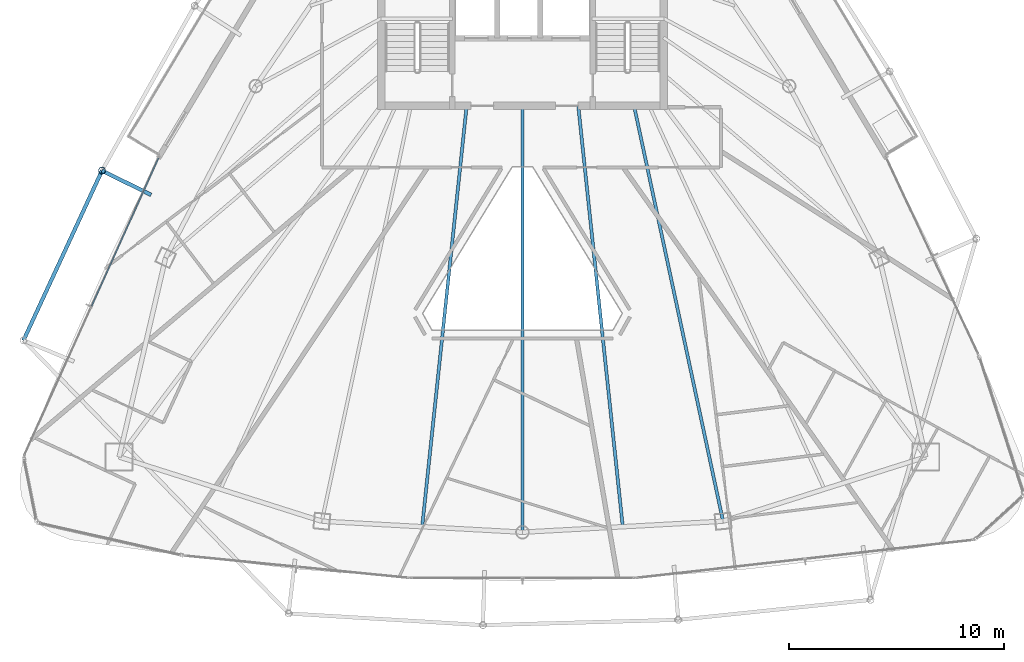
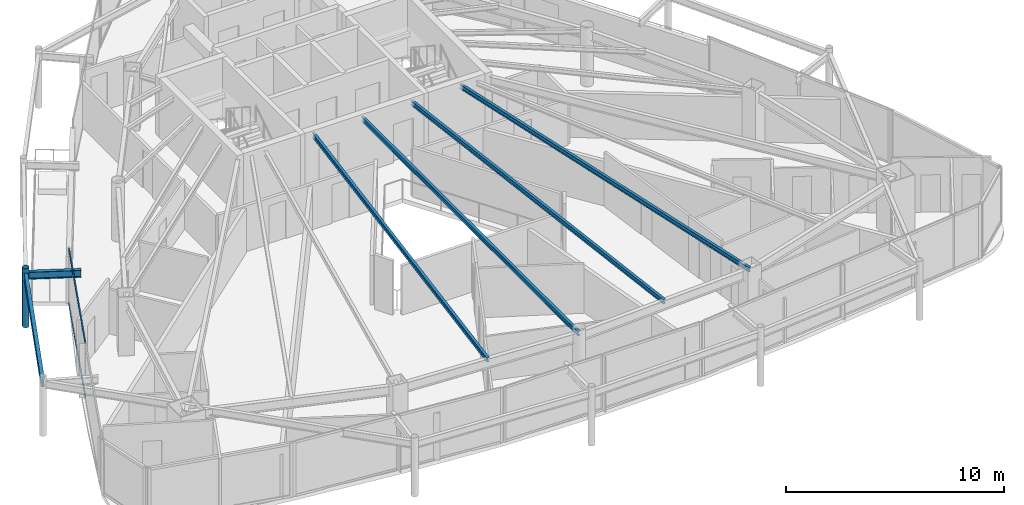
# One storey, part 10 of 33: 6 beams, 3 members, 1 element without a shape of its own.
"""IFC4 building model written with IfcOpenShell, lengths in metres."""

from ifc_helpers import new_model, si_unit, direction, frame, origin, origin_2d, place, context, subcontext, project, spatial, hollow_rectangle, hollow_circle, i_section, extrude, material, layer, layer_set, material_profile, profile_set, type_object, element, aggregate, save


model = new_model("IFC4")

# Units and contexts
model_context = context("Model", 3, precision=1e-05, world=origin(), true_north=direction((0.0, 1.0)))
body_context = subcontext(model_context, "Body", "Model", "MODEL_VIEW")
ifc_project = project(units=[si_unit("LENGTHUNIT", "METRE"), si_unit("AREAUNIT", "SQUARE_METRE"), si_unit("VOLUMEUNIT", "CUBIC_METRE"), si_unit("PLANEANGLEUNIT", "RADIAN"), si_unit("MASSUNIT", "GRAM", prefix="KILO")], contexts=[model_context])

# Site, building, storey
site_placement = place(None, origin())
site = spatial("IfcSite", under=ifc_project, at=site_placement, CompositionType="ELEMENT")
building_placement = place(site_placement, origin())
building = spatial("IfcBuilding", under=site, at=building_placement, Name="Orvanel Arch Residences", CompositionType="ELEMENT")
storey_placement = place(building_placement, frame((0.0, 0.0, 209.60009765625)))
storey = spatial("IfcBuildingStorey", under=building, at=storey_placement, Name="L59", CompositionType="ELEMENT", Elevation=209.60009765625)

# Beams
ifc_material_1 = material(Name="Structural steel AS/NZS 3679.1 Grade 300 (300 MPa)", Category="steel")
ifc_material_profile_1 = material_profile(ifc_material_1, i_section(OverallWidth=0.14599609375, OverallDepth=0.251953125, WebThickness=0.006103515625, FlangeThickness=0.008544921875, at=origin_2d()), Name="250UB31.4")
ifc_profile_set_1 = profile_set([ifc_material_profile_1], Name="Structural steel AS/NZS 3679.1 Grade 300 (300 MPa)")
beam_type_1 = type_object("IfcBeamType", Name="BJ-250UB", PredefinedType="JOIST", material=ifc_profile_set_1)
beam_1_placement = place(storey_placement, frame((38.199951171875, 26.72509765625, 2.933837890625), z_axis=(0.209547604985, -0.977798446125, 0.0), x_axis=(0.977798446125, 0.209547604985, 0.0)))
element("IfcBeam", 1, at=beam_1_placement, inside=storey, type_object=beam_type_1, Name="L59 SE Wing Floor Joist", PredefinedType="JOIST", context=body_context, shape_type="SweptSolid", body=[
    extrude(i_section(OverallWidth=0.14599609375, OverallDepth=0.251953125, WebThickness=0.006103515625, FlangeThickness=0.008544921875, at=origin_2d()), origin(), (0.0, 0.0, 1.0), 19.809814453125),
])
beam_2_placement = place(storey_placement, frame((33.0, 26.72509765625, 2.933837890625), z_axis=(0.0, -1.0, 0.0), x_axis=(1.0, 0.0, 0.0)))
element("IfcBeam", 2, at=beam_2_placement, inside=storey, type_object=beam_type_1, Name="L59 SSW Wing Floor Joist", PredefinedType="JOIST", context=body_context, shape_type="SweptSolid", body=[
    extrude(i_section(OverallWidth=0.14599609375, OverallDepth=0.251953125, WebThickness=0.006103515625, FlangeThickness=0.008544921875, at=origin_2d()), origin(), (0.0, 0.0, 1.0), 19.881103515625),
])
for number, where, z_axis, x_axis, name in (
    (3, (30.39990234375, 26.72509765625, 2.933837890625), (-0.105143936131, -0.994457014, 0.0), (0.994457014, -0.105143936131, 0.0), "L59 WSW2 Wing Floor Joist"),
    (4, (35.60009765625, 26.72509765625, 2.933837890625), (0.105143936131, -0.994457014, 0.0), (0.994457014, 0.105143936131, 0.0), "L59 ESE2 Wing Floor Joist"),
):
    element("IfcBeam", number, at=place(storey_placement, frame(where, z_axis=z_axis, x_axis=x_axis)), inside=storey, type_object=beam_type_1, Name=name, PredefinedType="JOIST", context=body_context, shape_type="SweptSolid", body=[
        extrude(i_section(OverallWidth=0.14599609375, OverallDepth=0.251953125, WebThickness=0.006103515625, FlangeThickness=0.008544921875, at=origin_2d()), origin(), (0.0, 0.0, 1.0), 19.734375),
    ])
ifc_material_profile_2 = material_profile(ifc_material_1, i_section(OverallWidth=0.177978515625, OverallDepth=0.406005859375, WebThickness=0.0078125, FlangeThickness=0.0126953125, at=origin_2d()), Name="410UB59.7")
ifc_profile_set_2 = profile_set([ifc_material_profile_2], Name="Structural steel AS/NZS 3679.1 Grade 300 (300 MPa)")
beam_type_2 = type_object("IfcBeamType", Name="OB-410UB-EXT", PredefinedType="SPANDREL", material=ifc_profile_set_2)
beam_3_placement = place(storey_placement, frame((15.68701171875, 22.568115234375, 2.85693359375), z_axis=(-0.896712689683, 0.442613095335, 0.0), x_axis=(-0.442613095335, -0.896712689683, 0.0)))
element("IfcBeam", 5, at=beam_3_placement, inside=storey, type_object=beam_type_2, Name="L59 Outer Frame Radial Tie Beam 03", PredefinedType="SPANDREL", context=body_context, shape_type="SweptSolid", body=[
    extrude(i_section(OverallWidth=0.177978515625, OverallDepth=0.406005859375, WebThickness=0.0078125, FlangeThickness=0.0126953125, at=origin_2d()), origin(), (0.0, 0.0, 1.0), 2.550537109375),
])
beam_4_placement = place(storey_placement, frame((13.39990234375, 23.697021484375, 2.85693359375), z_axis=(-0.419830567952, -0.907602497911, 0.0), x_axis=(0.907602497911, -0.419830567952, 0.0)))
element("IfcBeam", 6, at=beam_4_placement, inside=storey, type_object=beam_type_2, Name="L59 Outer Perimeter Floor Ring Beam 03", PredefinedType="SPANDREL", context=body_context, shape_type="SweptSolid", body=[
    extrude(i_section(OverallWidth=0.177978515625, OverallDepth=0.406005859375, WebThickness=0.0078125, FlangeThickness=0.0126953125, at=origin_2d()), origin(), (0.0, 0.0, 1.0), 8.717529296875),
])

# Member
ifc_material_2 = material(Name="Structural steel AS/NZS 1163 C350L0 (Grade 350)", Category="steel")
ifc_material_profile_3 = material_profile(ifc_material_2, hollow_circle(Radius=0.162109375, WallThickness=0.0126953125, at=origin_2d()), Name="CHS324x12.7")
ifc_profile_set_3 = profile_set([ifc_material_profile_3], Name="Structural steel AS/NZS 1163 C350L0 (Grade 350)")
member_type_1 = type_object("IfcMemberType", Name="ST-324CHS-EXT", PredefinedType="STRUT", material=ifc_profile_set_3)
member_1_placement = place(storey_placement, frame((13.39990234375, 23.697021484375, 0.0), z_axis=(0.0, 0.0, 1.0), x_axis=(1.0, 0.0, 0.0)))
element("IfcMember", 7, at=member_1_placement, inside=storey, type_object=member_type_1, Name="L59 Outer Perimeter Frame Post 03", PredefinedType="STRUT", context=body_context, shape_type="SweptSolid", body=[
    extrude(hollow_circle(Radius=0.162109375, WallThickness=0.0126953125, at=origin_2d()), origin(), (0.0, 0.0, 1.0), 3.2998046875),
])

# Curtain wall, members
ifc_material_3 = material(Name="Bronze-anodised aluminium AA6063-T6", Category="aluminium")
ifc_layer = layer(ifc_material_3, 0.175048828125)
ifc_layer_set = layer_set([ifc_layer], Name="Bronze-anodised aluminium AA6063-T6")
curtain_wall_type = type_object("IfcCurtainWallType", Name="CW4-HI-SYS", PredefinedType="NOTDEFINED", material=ifc_layer_set)
curtain_wall_placement = place(storey_placement, origin())
curtain_wall = element("IfcCurtainWall", 8, at=curtain_wall_placement, inside=storey, type_object=curtain_wall_type, Name="L59 CW4-HI-SYS Unitised Curtain Wall", PredefinedType="NOTDEFINED")
ifc_material_profile_4 = material_profile(ifc_material_3, hollow_rectangle(XDim=0.06005859375, YDim=0.1201171875, WallThickness=0.00341796875, at=origin_2d()), Name="ALU120x60x3.5")
ifc_profile_set_4 = profile_set([ifc_material_profile_4], Name="Bronze-anodised aluminium AA6063-T6")
member_type_2 = type_object("IfcMemberType", Name="TRN-120x60", PredefinedType="USERDEFINED", material=ifc_profile_set_4)
member_2_placement = place(storey_placement, frame((16.033203125, 24.28173828125, 0.02978515625), z_axis=(-0.41152620451, -0.911397927912, 0.0), x_axis=(0.911397927912, -0.41152620451, 0.0)))
member_2 = element("IfcMember", 9, at=member_2_placement, type_object=member_type_2, Name="CW-S4 transom 1.1", ObjectType="TRANSOM", PredefinedType="USERDEFINED", context=body_context, shape_type="SweptSolid", body=[
    extrude(hollow_rectangle(XDim=0.06005859375, YDim=0.1201171875, WallThickness=0.00341796875, at=origin_2d()), origin(), (0.0, 0.0, 1.0), 7.56640625),
])
member_3_placement = place(storey_placement, frame((16.033203125, 24.28173828125, 3.02978515625), z_axis=(-0.41152620451, -0.911397927912, 0.0), x_axis=(0.911397927912, -0.41152620451, 0.0)))
member_3 = element("IfcMember", 10, at=member_3_placement, type_object=member_type_2, Name="CW-S4 transom 1.2", ObjectType="TRANSOM", PredefinedType="USERDEFINED", context=body_context, shape_type="SweptSolid", body=[
    extrude(hollow_rectangle(XDim=0.06005859375, YDim=0.1201171875, WallThickness=0.00341796875, at=origin_2d()), origin(), (0.0, 0.0, 1.0), 7.56640625),
])
aggregate(curtain_wall, [member_2, member_3])

save(model, "model.ifc")
